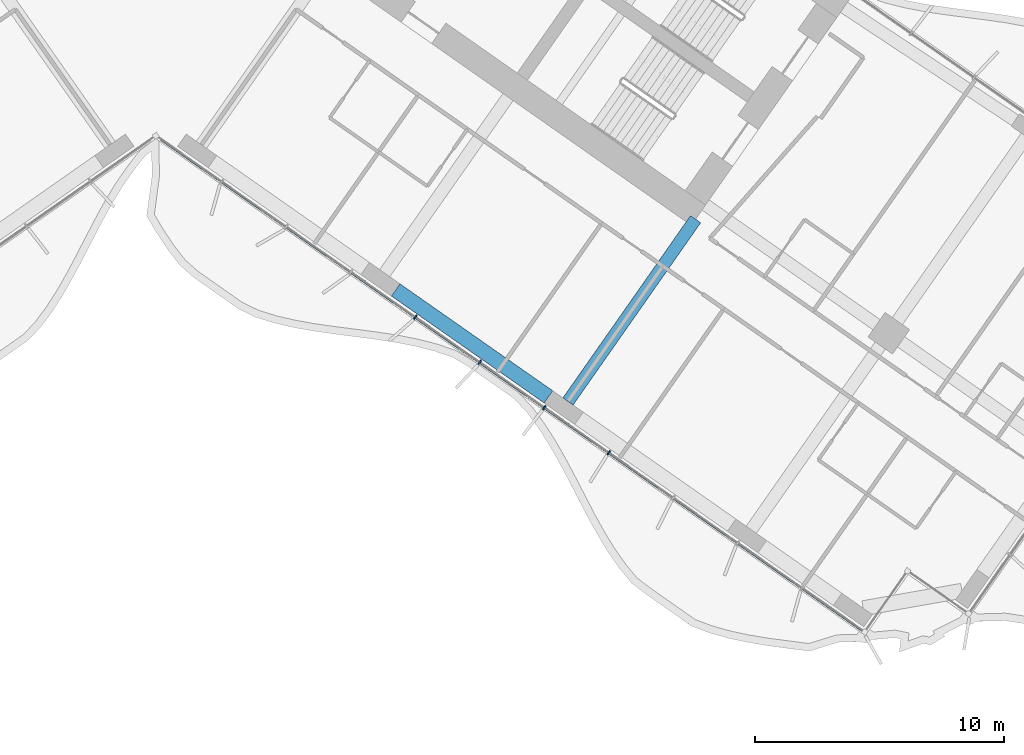
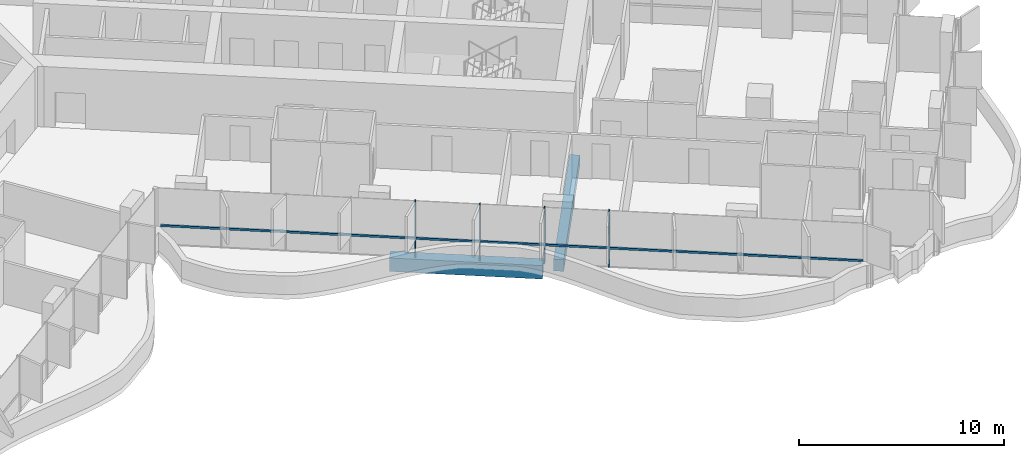
# One storey, part 5 of 23: 5 members, 2 beams, 1 element without a shape of its own.
"""IFC4 building model written with IfcOpenShell, lengths in metres."""

from ifc_helpers import new_model, si_unit, direction, frame, origin, origin_2d, place, context, subcontext, project, spatial, rectangle, extrude, material, material_profile, profile_set, type_object, element, aggregate, save


model = new_model("IFC4")

# Units and contexts
model_context = context("Model", 3, precision=1e-05, world=origin(), true_north=direction((0.0, 1.0)))
body_context = subcontext(model_context, "Body", "Model", "MODEL_VIEW")
ifc_project = project(units=[si_unit("LENGTHUNIT", "METRE"), si_unit("AREAUNIT", "SQUARE_METRE"), si_unit("VOLUMEUNIT", "CUBIC_METRE"), si_unit("PLANEANGLEUNIT", "RADIAN"), si_unit("MASSUNIT", "GRAM", prefix="KILO")], contexts=[model_context])

# Site, building, storey
site_placement = place(None, origin())
site = spatial("IfcSite", under=ifc_project, at=site_placement, CompositionType="ELEMENT")
building_placement = place(site_placement, origin())
building = spatial("IfcBuilding", under=site, at=building_placement, Name="Tel Ilan Convention Tower", CompositionType="ELEMENT")
storey_placement = place(building_placement, frame((0.0, 0.0, 86.89990234375)))
storey = spatial("IfcBuildingStorey", under=building, at=storey_placement, Name="L17", CompositionType="ELEMENT", Elevation=86.89990234375)

# Beams
ifc_material_1 = material(Name="Concrete C40/50", Category="concrete")
ifc_material_profile_1 = material_profile(ifc_material_1, rectangle(XDim=0.5, YDim=0.699951171875, at=origin_2d()), Name="RC 500x700")
ifc_profile_set_1 = profile_set([ifc_material_profile_1], Name="Concrete C40/50")
beam_type_1 = type_object("IfcBeamType", Name="Beam RC 500x700 Concrete C40/50", PredefinedType="BEAM", material=ifc_profile_set_1)
beam_1_placement = place(storey_placement, frame((16.58203125, -23.391357421875, -0.6298828125), z_axis=(0.573584999642, 0.819146048141, 0.0), x_axis=(-0.819146048141, 0.573584999642, 0.0)))
element("IfcBeam", 1, at=beam_1_placement, inside=storey, type_object=beam_type_1, Name="L17 beam E-E-F3-core", PredefinedType="BEAM", context=body_context, shape_type="SweptSolid", body=[
    extrude(rectangle(XDim=0.5, YDim=0.699951171875, at=origin_2d()), origin(), (0.0, 0.0, 1.0), 8.949951171875),
])
ifc_material_2 = material(Name="Concrete C40/50", Category="concrete")
ifc_material_profile_2 = material_profile(ifc_material_2, rectangle(XDim=0.60009765625, YDim=0.800048828125, at=origin_2d()), Name="RC 600x800")
ifc_profile_set_2 = profile_set([ifc_material_profile_2], Name="Concrete C40/50")
beam_type_2 = type_object("IfcBeamType", Name="Beam RC 600x800 Concrete C40/50", PredefinedType="BEAM", material=ifc_profile_set_2)
beam_2_placement = place(storey_placement, frame((9.652099609375, -18.905029296875, -0.679931640625), z_axis=(0.81915238829, -0.573575945067, 0.0), x_axis=(0.573575945067, 0.81915238829, 0.0)))
element("IfcBeam", 2, at=beam_2_placement, inside=storey, type_object=beam_type_2, Name="L17 beam E-E-F2-E-F3", PredefinedType="BEAM", context=body_context, shape_type="SweptSolid", body=[
    extrude(rectangle(XDim=0.60009765625, YDim=0.800048828125, at=origin_2d()), origin(), (0.0, 0.0, 1.0), 7.5),
])

# Curtain wall, members
ifc_material_3 = material(Name="Aluminium, bronze anodised", Category="aluminium")
curtain_wall_type = type_object("IfcCurtainWallType", Name="CW1 UNITISED CURTAIN WALL, HOTEL TINTED GLASS", PredefinedType="NOTDEFINED", material=ifc_material_3)
curtain_wall_placement = place(storey_placement, origin())
curtain_wall = element("IfcCurtainWall", 3, at=curtain_wall_placement, inside=storey, type_object=curtain_wall_type, Name="Curtain wall CW1-15.02", PredefinedType="NOTDEFINED")
ifc_material_4 = material(Name="Aluminium, bronze anodised", Category="aluminium")
ifc_material_profile_3 = material_profile(ifc_material_4, rectangle(XDim=0.06005859375, YDim=0.199951171875, at=origin_2d()), Name="CW MULLION 60x200")
ifc_profile_set_3 = profile_set([ifc_material_profile_3], Name="Aluminium, bronze anodised")
member_type_1 = type_object("IfcMemberType", Name="CW MULLION 60x200", PredefinedType="MULLION", material=ifc_profile_set_3)
member_1_placement = place(storey_placement, frame((10.4375, -20.004638671875, 0.0), z_axis=(0.0, 0.0, 1.0), x_axis=(0.819152044289, -0.573576436351, 0.0)))
member_1 = element("IfcMember", 4, at=member_1_placement, type_object=member_type_1, Name="Mullion", PredefinedType="MULLION", context=body_context, shape_type="SweptSolid", body=[
    extrude(rectangle(XDim=0.06005859375, YDim=0.199951171875, at=origin_2d()), origin(), (0.0, 0.0, 1.0), 3.320068359375),
])
member_2_placement = place(storey_placement, frame((13.03271484375, -21.821533203125, 0.0), z_axis=(0.0, 0.0, 1.0), x_axis=(0.819152044289, -0.573576436351, 0.0)))
member_2 = element("IfcMember", 5, at=member_2_placement, type_object=member_type_1, Name="Mullion", PredefinedType="MULLION", context=body_context, shape_type="SweptSolid", body=[
    extrude(rectangle(XDim=0.06005859375, YDim=0.199951171875, at=origin_2d()), origin(), (0.0, 0.0, 1.0), 3.320068359375),
])
member_3_placement = place(storey_placement, frame((15.627685546875, -23.638671875, 0.0), z_axis=(0.0, 0.0, 1.0), x_axis=(0.819152044289, -0.573576436351, 0.0)))
member_3 = element("IfcMember", 6, at=member_3_placement, type_object=member_type_1, Name="Mullion", PredefinedType="MULLION", context=body_context, shape_type="SweptSolid", body=[
    extrude(rectangle(XDim=0.06005859375, YDim=0.199951171875, at=origin_2d()), origin(), (0.0, 0.0, 1.0), 3.320068359375),
])
member_4_placement = place(storey_placement, frame((18.222900390625, -25.455810546875, 0.0), z_axis=(0.0, 0.0, 1.0), x_axis=(0.819152044289, -0.573576436351, 0.0)))
member_4 = element("IfcMember", 7, at=member_4_placement, type_object=member_type_1, Name="Mullion", PredefinedType="MULLION", context=body_context, shape_type="SweptSolid", body=[
    extrude(rectangle(XDim=0.06005859375, YDim=0.199951171875, at=origin_2d()), origin(), (0.0, 0.0, 1.0), 3.320068359375),
])
ifc_material_5 = material(Name="Aluminium, bronze anodised", Category="aluminium")
ifc_material_profile_4 = material_profile(ifc_material_5, rectangle(XDim=0.10009765625, YDim=0.1201171875, at=origin_2d()), Name="CW TRANSOM 100x120")
ifc_profile_set_4 = profile_set([ifc_material_profile_4], Name="Aluminium, bronze anodised")
member_type_2 = type_object("IfcMemberType", Name="CW TRANSOM 100x120", PredefinedType="USERDEFINED", material=ifc_profile_set_4)
member_5_placement = place(storey_placement, frame((0.22119140625, -12.850830078125, 1.10009765625), z_axis=(0.819151003602, -0.573577922604, 0.0), x_axis=(0.573577922604, 0.819151003602, 0.0)))
member_5 = element("IfcMember", 8, at=member_5_placement, type_object=member_type_2, Name="Transom", ObjectType="TRANSOM", PredefinedType="USERDEFINED", context=body_context, shape_type="SweptSolid", body=[
    extrude(rectangle(XDim=0.10009765625, YDim=0.1201171875, at=origin_2d()), origin(), (0.0, 0.0, 1.0), 34.447998046875),
])
aggregate(curtain_wall, [member_1, member_2, member_3, member_4, member_5])

save(model, "model.ifc")
